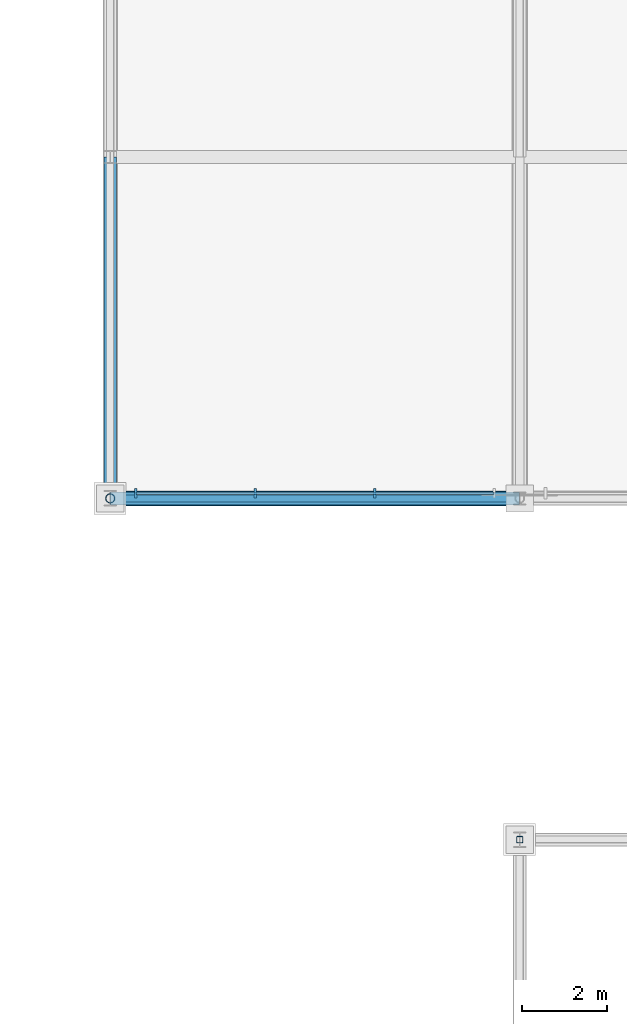
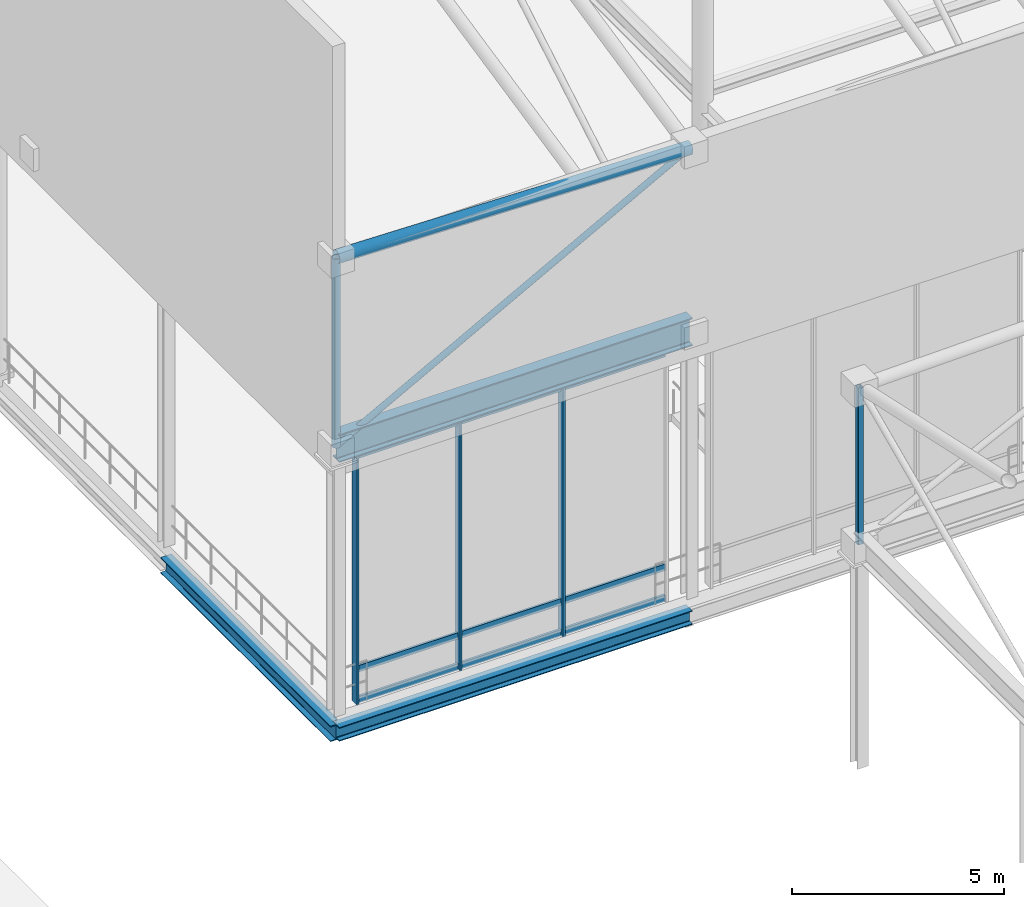
# One storey, part 90 of 193: 10 members, 3 beams, 1 element without a shape of its own.
"""IFC4 building model written with IfcOpenShell, lengths in metres."""

from ifc_helpers import new_model, si_unit, direction, frame, origin, origin_2d, place, context, subcontext, project, spatial, rectangle, hollow_rectangle, hollow_circle, i_section, extrude, material, material_profile, profile_set, type_object, element, aggregate, save


model = new_model("IFC4")

# Units and contexts
model_context = context("Model", 3, precision=1e-05, world=origin(), true_north=direction((0.0, 1.0)))
body_context = subcontext(model_context, "Body", "Model", "MODEL_VIEW")
ifc_project = project(units=[si_unit("LENGTHUNIT", "METRE"), si_unit("AREAUNIT", "SQUARE_METRE"), si_unit("VOLUMEUNIT", "CUBIC_METRE"), si_unit("PLANEANGLEUNIT", "RADIAN"), si_unit("MASSUNIT", "GRAM", prefix="KILO")], contexts=[model_context])

# Site, building, storey
site_placement = place(None, origin())
site = spatial("IfcSite", under=ifc_project, at=site_placement, CompositionType="ELEMENT")
building_placement = place(site_placement, origin())
building = spatial("IfcBuilding", under=site, at=building_placement, Name="Danafjord Basin Convention Centre", CompositionType="ELEMENT")
storey_placement = place(building_placement, frame((0.0, 0.0, 11.39990234375)))
storey = spatial("IfcBuildingStorey", under=building, at=storey_placement, Name="L02", CompositionType="ELEMENT", Elevation=11.39990234375)

# Beams
ifc_material_1 = material(Name="Steel S355", Category="steel")
ifc_material_profile_1 = material_profile(ifc_material_1, i_section(OverallWidth=0.300048828125, OverallDepth=0.800048828125, WebThickness=0.017578125, FlangeThickness=0.032958984375, FilletRadius=0.030029296875, at=origin_2d()), Name="HEB 800")
ifc_profile_set_1 = profile_set([ifc_material_profile_1], Name="Steel S355")
beam_type_1 = type_object("IfcBeamType", Name="BEAM-BM-HEB800", PredefinedType="BEAM", material=ifc_profile_set_1)
beam_1_placement = place(storey_placement, frame((134.39990234375, 88.0, 7.650146484375), z_axis=(1.0, 0.0, 0.0), x_axis=(0.0, 1.0, 0.0)))
element("IfcBeam", 1, at=beam_1_placement, inside=storey, type_object=beam_type_1, Name="V2 space-frame perimeter ring girder", PredefinedType="BEAM", context=body_context, shape_type="SweptSolid", body=[
    extrude(i_section(OverallWidth=0.300048828125, OverallDepth=0.800048828125, WebThickness=0.017578125, FlangeThickness=0.032958984375, FilletRadius=0.030029296875, at=origin_2d()), origin(), (0.0, 0.0, 1.0), 9.60009765625),
])
ifc_material_profile_2 = material_profile(ifc_material_1, i_section(OverallWidth=0.300048828125, OverallDepth=0.39990234375, WebThickness=0.013427734375, FlangeThickness=0.02392578125, FilletRadius=0.027099609375, at=origin_2d()), Name="HEB 400")
ifc_profile_set_2 = profile_set([ifc_material_profile_2], Name="Steel S355")
beam_type_2 = type_object("IfcBeamType", Name="BEAM-SP-HEB400", PredefinedType="SPANDREL", material=ifc_profile_set_2)
beam_2_placement = place(storey_placement, frame((134.39990234375, 88.0, -0.559814453125), z_axis=(1.0, 0.0, 0.0), x_axis=(0.0, 1.0, 0.0)))
element("IfcBeam", 2, at=beam_2_placement, inside=storey, type_object=beam_type_2, Name="L02 girder SP-HEB400", PredefinedType="SPANDREL", context=body_context, shape_type="SweptSolid", body=[
    extrude(i_section(OverallWidth=0.300048828125, OverallDepth=0.39990234375, WebThickness=0.013427734375, FlangeThickness=0.02392578125, FilletRadius=0.027099609375, at=origin_2d()), origin(), (0.0, 0.0, 1.0), 9.60009765625),
])
ifc_material_profile_3 = material_profile(ifc_material_1, i_section(OverallWidth=0.300048828125, OverallDepth=0.449951171875, WebThickness=0.013916015625, FlangeThickness=0.02587890625, FilletRadius=0.027099609375, at=origin_2d()), Name="HEB 450")
ifc_profile_set_3 = profile_set([ifc_material_profile_3], Name="Steel S355")
beam_type_3 = type_object("IfcBeamType", Name="BEAM-SP-HEB450", PredefinedType="SPANDREL", material=ifc_profile_set_3)
beam_3_placement = place(storey_placement, frame((134.39990234375, 88.0, -0.5849609375), z_axis=(0.0, 1.0, 0.0), x_axis=(-1.0, 0.0, 0.0)))
element("IfcBeam", 3, at=beam_3_placement, inside=storey, type_object=beam_type_3, Name="L02 transverse girder SP-HEB450", PredefinedType="SPANDREL", context=body_context, shape_type="SweptSolid", body=[
    extrude(i_section(OverallWidth=0.300048828125, OverallDepth=0.449951171875, WebThickness=0.013916015625, FlangeThickness=0.02587890625, FilletRadius=0.027099609375, at=origin_2d()), origin(), (0.0, 0.0, 1.0), 8.0),
])

# Member
ifc_material_profile_4 = material_profile(ifc_material_1, hollow_circle(Radius=0.177734375, WallThickness=0.01611328125, at=origin_2d()), Name="CHS 355.6x16.0")
ifc_profile_set_4 = profile_set([ifc_material_profile_4], Name="Steel S355")
member_type_1 = type_object("IfcMemberType", Name="MEM-CH-CHS355", PredefinedType="CHORD", material=ifc_profile_set_4)
member_1_placement = place(storey_placement, frame((134.39990234375, 88.0, 13.0751953125), z_axis=(0.999725222215, 0.0, -0.023440991172), x_axis=(0.0, 1.0, 0.0)))
element("IfcMember", 4, at=member_1_placement, inside=storey, type_object=member_type_1, Name="V2 roof truss longitudinal top chord", PredefinedType="CHORD", context=body_context, shape_type="SweptSolid", body=[
    extrude(hollow_circle(Radius=0.177734375, WallThickness=0.01611328125, at=origin_2d()), origin(), (0.0, 0.0, 1.0), 9.602783203125),
])

# Curtain wall, members
ifc_material_2 = material(Name="Anodised aluminium and triple glazing", Category="aluminium")
curtain_wall_type = type_object("IfcCurtainWallType", Name="CW-CW-DRUM", PredefinedType="NOTDEFINED", material=ifc_material_2)
curtain_wall_placement = place(storey_placement, origin())
curtain_wall = element("IfcCurtainWall", 5, at=curtain_wall_placement, inside=storey, type_object=curtain_wall_type, Name="L02 CW-DRUM unitised curtain wall bay 122", PredefinedType="NOTDEFINED")
ifc_material_3 = material(Name="Anodised aluminium EN AW-6060", Category="aluminium")
ifc_material_profile_5 = material_profile(ifc_material_3, rectangle(XDim=0.06494140625, YDim=0.219970703125, at=origin_2d()), Name="MULL 65x220")
ifc_profile_set_5 = profile_set([ifc_material_profile_5], Name="Anodised aluminium EN AW-6060")
member_type_2 = type_object("IfcMemberType", Name="MEM-ML-220", PredefinedType="MULLION", material=ifc_profile_set_5)
member_2_placement = place(storey_placement, frame((135.0, 88.1201171875, -0.02490234375), z_axis=(0.0, 0.0, 1.0), x_axis=(1.0, 0.0, 0.0)))
member_2 = element("IfcMember", 6, at=member_2_placement, type_object=member_type_2, Name="CW-L02-122 mullion 1", PredefinedType="MULLION", context=body_context, shape_type="SweptSolid", body=[
    extrude(rectangle(XDim=0.06494140625, YDim=0.219970703125, at=origin_2d()), origin(), (0.0, 0.0, 1.0), 7.18505859375),
])
member_3_placement = place(storey_placement, frame((137.800048828125, 88.1201171875, -0.02490234375), z_axis=(0.0, 0.0, 1.0), x_axis=(1.0, 0.0, 0.0)))
member_3 = element("IfcMember", 7, at=member_3_placement, type_object=member_type_2, Name="CW-L02-122 mullion 2", PredefinedType="MULLION", context=body_context, shape_type="SweptSolid", body=[
    extrude(rectangle(XDim=0.06494140625, YDim=0.219970703125, at=origin_2d()), origin(), (0.0, 0.0, 1.0), 7.18505859375),
])
member_4_placement = place(storey_placement, frame((140.60009765625, 88.1201171875, -0.02490234375), z_axis=(0.0, 0.0, 1.0), x_axis=(1.0, 0.0, 0.0)))
member_4 = element("IfcMember", 8, at=member_4_placement, type_object=member_type_2, Name="CW-L02-122 mullion 3", PredefinedType="MULLION", context=body_context, shape_type="SweptSolid", body=[
    extrude(rectangle(XDim=0.06494140625, YDim=0.219970703125, at=origin_2d()), origin(), (0.0, 0.0, 1.0), 7.18505859375),
])

# Members
ifc_material_profile_6 = material_profile(ifc_material_1, hollow_circle(Radius=0.109619140625, WallThickness=0.010009765625, at=origin_2d()), Name="CHS 219.1x10.0")
ifc_profile_set_6 = profile_set([ifc_material_profile_6], Name="Steel S355")
member_type_3 = type_object("IfcMemberType", Name="MEM-ST-CHS219", PredefinedType="STRUT", material=ifc_profile_set_6)
member_5_placement = place(storey_placement, frame((134.39990234375, 88.0, 7.650146484375), z_axis=(0.0, 0.0, 1.0), x_axis=(1.0, 0.0, 0.0)))
element("IfcMember", 9, at=member_5_placement, inside=storey, type_object=member_type_3, Name="V2 roof truss vertical strut", PredefinedType="STRUT", context=body_context, shape_type="SweptSolid", body=[
    extrude(hollow_circle(Radius=0.109619140625, WallThickness=0.010009765625, at=origin_2d()), origin(), (0.0, 0.0, 1.0), 5.425048828125),
])
ifc_material_profile_7 = material_profile(ifc_material_1, hollow_rectangle(XDim=0.14990234375, YDim=0.14990234375, WallThickness=0.008056640625, InnerFilletRadius=0.011962890625, OuterFilletRadius=0.02001953125, at=origin_2d()), Name="SHS 150x150x8.0")
ifc_profile_set_7 = profile_set([ifc_material_profile_7], Name="Steel S355")
member_type_4 = type_object("IfcMemberType", Name="MEM-ST-SHS150", PredefinedType="STRUT", material=ifc_profile_set_7)
member_6_placement = place(storey_placement, frame((144.0, 80.0, 6.35009765625), z_axis=(0.0, 0.0, 1.0), x_axis=(1.0, 0.0, 0.0)))
element("IfcMember", 10, at=member_6_placement, inside=storey, type_object=member_type_4, Name="V3 roof truss vertical strut", PredefinedType="STRUT", context=body_context, shape_type="SweptSolid", body=[
    extrude(hollow_rectangle(XDim=0.14990234375, YDim=0.14990234375, WallThickness=0.008056640625, InnerFilletRadius=0.011962890625, OuterFilletRadius=0.02001953125, at=origin_2d()), origin(), (0.0, 0.0, 1.0), 4.5),
])

# Member
ifc_material_profile_8 = material_profile(ifc_material_3, rectangle(XDim=0.06494140625, YDim=0.18994140625, at=origin_2d()), Name="TRAN 65x190")
ifc_profile_set_8 = profile_set([ifc_material_profile_8], Name="Anodised aluminium EN AW-6060")
member_type_5 = type_object("IfcMemberType", Name="MEM-TR-190", PredefinedType="USERDEFINED", material=ifc_profile_set_8)
member_7_placement = place(storey_placement, frame((135.0, 88.1201171875, 0.06005859375), z_axis=(1.0, 0.0, 0.0), x_axis=(0.0, 1.0, 0.0)))
member_7 = element("IfcMember", 11, at=member_7_placement, type_object=member_type_5, Name="CW-L02-122 transom 1", ObjectType="TRANSOM", PredefinedType="USERDEFINED", context=body_context, shape_type="SweptSolid", body=[
    extrude(rectangle(XDim=0.06494140625, YDim=0.18994140625, at=origin_2d()), origin(), (0.0, 0.0, 1.0), 8.39990234375),
])

member_8_placement = place(storey_placement, frame((135.0, 88.1201171875, 0.9501953125), z_axis=(1.0, 0.0, 0.0), x_axis=(0.0, 1.0, 0.0)))
member_8 = element("IfcMember", 12, at=member_8_placement, type_object=member_type_5, Name="CW-L02-122 transom 2", ObjectType="TRANSOM", PredefinedType="USERDEFINED", context=body_context, shape_type="SweptSolid", body=[
    extrude(rectangle(XDim=0.06494140625, YDim=0.18994140625, at=origin_2d()), origin(), (0.0, 0.0, 1.0), 8.39990234375),
])

member_9_placement = place(storey_placement, frame((135.0, 88.1201171875, 7.090087890625), z_axis=(1.0, 0.0, 0.0), x_axis=(0.0, 1.0, 0.0)))
member_9 = element("IfcMember", 13, at=member_9_placement, type_object=member_type_5, Name="CW-L02-122 transom 3", ObjectType="TRANSOM", PredefinedType="USERDEFINED", context=body_context, shape_type="SweptSolid", body=[
    extrude(rectangle(XDim=0.06494140625, YDim=0.18994140625, at=origin_2d()), origin(), (0.0, 0.0, 1.0), 8.39990234375),
])

aggregate(curtain_wall, [member_2, member_3, member_4, member_7, member_8, member_9])

ifc_material_profile_9 = material_profile(ifc_material_1, hollow_circle(Radius=0.084228515625, WallThickness=0.008056640625, at=origin_2d()), Name="CHS 168.3x8.0")
ifc_profile_set_9 = profile_set([ifc_material_profile_9], Name="Steel S355")
member_type_6 = type_object("IfcMemberType", Name="MEM-WB-CHS168", PredefinedType="MEMBER", material=ifc_profile_set_9)
member_10_placement = place(storey_placement, frame((134.39990234375, 88.0, 7.650146484375), z_axis=(0.879295868501, 0.0, 0.476275944845), x_axis=(0.0, 1.0, 0.0)))
element("IfcMember", 14, at=member_10_placement, inside=storey, type_object=member_type_6, Name="V2 space-frame longitudinal web", PredefinedType="MEMBER", context=body_context, shape_type="SweptSolid", body=[
    extrude(hollow_circle(Radius=0.084228515625, WallThickness=0.008056640625, at=origin_2d()), origin(), (0.0, 0.0, 1.0), 10.91796875),
])

save(model, "model.ifc")
